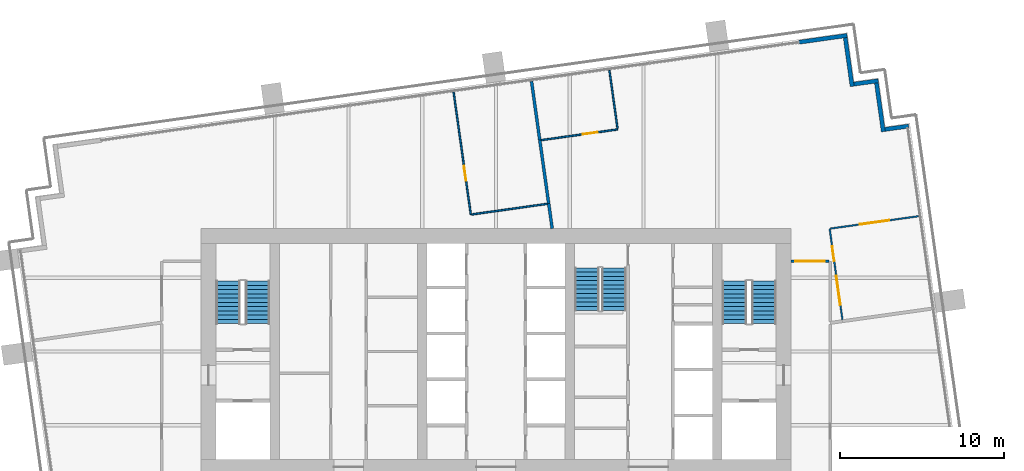
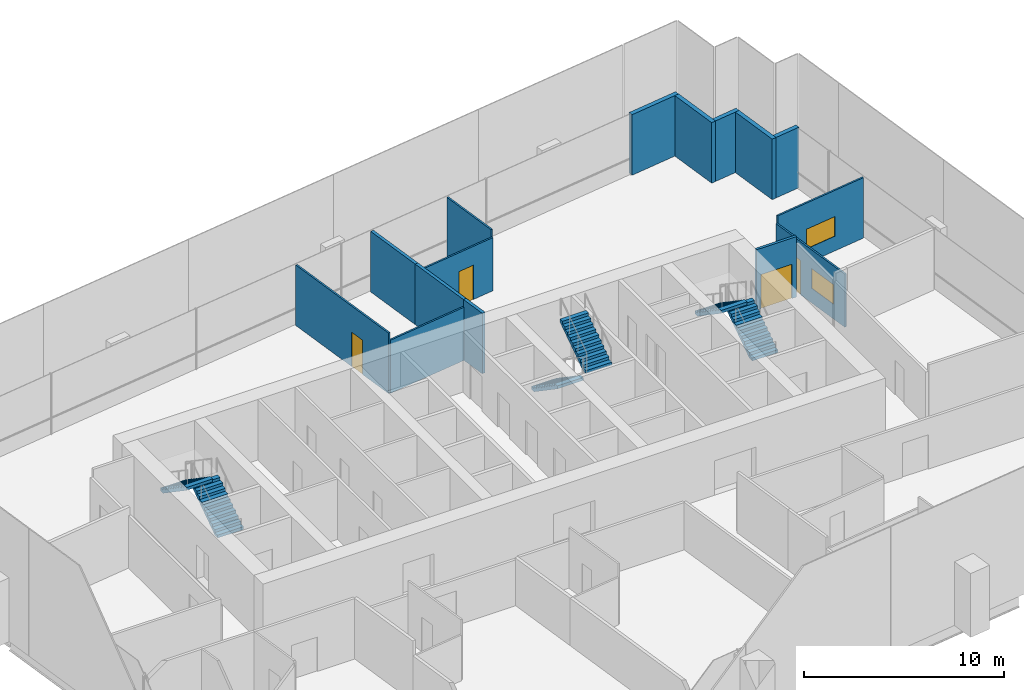
# One storey, part 12 of 17: 15 walls, 6 stair flights, 4 doors, 2 windows, 6 openings, 3 elements without a shape of their own.
"""IFC4 building model written with IfcOpenShell, lengths in metres."""

from ifc_helpers import new_model, si_unit, direction, frame, frame_2d, origin, place, context, subcontext, project, spatial, polyline, rectangle, outline, extrude, material, layer, layer_set, type_object, element, fill, aggregate, save


model = new_model("IFC4")

# Units and contexts
model_context = context("Model", 3, precision=1e-05, world=origin(), true_north=direction((0.0, 1.0)))
body_context = subcontext(model_context, "Body", "Model", "MODEL_VIEW")
ifc_project = project(units=[si_unit("LENGTHUNIT", "METRE"), si_unit("AREAUNIT", "SQUARE_METRE"), si_unit("VOLUMEUNIT", "CUBIC_METRE"), si_unit("PLANEANGLEUNIT", "RADIAN"), si_unit("MASSUNIT", "GRAM", prefix="KILO")], contexts=[model_context])

# Site, building, storey
site_placement = place(None, origin())
site = spatial("IfcSite", under=ifc_project, at=site_placement, CompositionType="ELEMENT")
building_placement = place(site_placement, origin())
building = spatial("IfcBuilding", under=site, at=building_placement, Name="Rattan Terrace Tower", CompositionType="ELEMENT")
storey_placement = place(building_placement, frame((0.0, 0.0, 191.89990234375)))
storey = spatial("IfcBuildingStorey", under=building, at=storey_placement, Name="L44", CompositionType="ELEMENT", Elevation=191.89990234375)

# Walls
ifc_material_1 = material(Name="Insulated aluminium-clad stud wall", Category="aluminium")
ifc_layer_1 = layer(ifc_material_1, 0.25)
ifc_layer_set_1 = layer_set([ifc_layer_1], Name="Facade Riser Wall 250")
wall_type_1 = type_object("IfcWallType", Name="Facade Riser Wall 250", PredefinedType="SOLIDWALL", material=ifc_layer_set_1)
wall_1_placement = place(storey_placement, frame((25.18359375, 13.758056640625, 0.0), z_axis=(0.0, 0.0, 1.0), x_axis=(-0.9902493448, -0.13930626376, 0.0)))
element("IfcWall", 1, at=wall_1_placement, inside=storey, type_object=wall_type_1, Name="Riser wall L44-6", PredefinedType="SOLIDWALL", context=body_context, shape_type="SweptSolid", body=[
    extrude(rectangle(XDim=1.45458984375, YDim=0.25, at=frame_2d((0.727294921875, 0.0))), origin(), (0.0, 0.0, 1.0), 3.7001953125),
])
wall_2_placement = place(storey_placement, frame((23.63671875, 13.414306640625, 0.0), z_axis=(0.0, 0.0, 1.0), x_axis=(-0.139313431826, 0.990248336385, 0.0)))
element("IfcWall", 2, at=wall_2_placement, inside=storey, type_object=wall_type_1, Name="Riser wall L44-7", PredefinedType="SOLIDWALL", context=body_context, shape_type="SweptSolid", body=[
    extrude(rectangle(XDim=3.000244140625, YDim=0.25, at=frame_2d((1.5, 0.0))), origin(), (0.0, 0.0, 1.0), 3.7001953125),
])
wall_3_placement = place(storey_placement, frame((23.3251953125, 16.5263671875, 0.0), z_axis=(0.0, 0.0, 1.0), x_axis=(-0.990243596651, -0.13934711799, 0.0)))
element("IfcWall", 3, at=wall_3_placement, inside=storey, type_object=wall_type_1, Name="Riser wall L44-8", PredefinedType="SOLIDWALL", context=body_context, shape_type="SweptSolid", body=[
    extrude(rectangle(XDim=1.499755859375, YDim=0.25, at=frame_2d((0.75, 0.0))), origin(), (0.0, 0.0, 1.0), 3.7001953125),
])
wall_4_placement = place(storey_placement, frame((21.733642578125, 16.17626953125, 0.0), z_axis=(0.0, 0.0, 1.0), x_axis=(-0.139313431826, 0.990248336385, 0.0)))
element("IfcWall", 4, at=wall_4_placement, inside=storey, type_object=wall_type_1, Name="Riser wall L44-9", PredefinedType="SOLIDWALL", context=body_context, shape_type="SweptSolid", body=[
    extrude(rectangle(XDim=3.000244140625, YDim=0.25, at=frame_2d((1.5, 0.0))), origin(), (0.0, 0.0, 1.0), 3.7001953125),
])
wall_5_placement = place(storey_placement, frame((21.422119140625, 19.288330078125, 0.0), z_axis=(0.0, 0.0, 1.0), x_axis=(-0.990246427036, -0.139327002919, 0.0)))
element("IfcWall", 5, at=wall_5_placement, inside=storey, type_object=wall_type_1, Name="Riser wall L44-10", PredefinedType="SOLIDWALL", context=body_context, shape_type="SweptSolid", body=[
    extrude(rectangle(XDim=2.954345703125, YDim=0.25, at=frame_2d((1.47705078125, 0.0))), origin(), (0.0, 0.0, 1.0), 3.7001953125),
])
ifc_material_2 = material(Name="Double steel stud acoustic partition, gypsum board, mineral wool, fire rated", Category="steel")
ifc_layer_2 = layer(ifc_material_2, 0.179931640625)
ifc_layer_set_2 = layer_set([ifc_layer_2], Name="Floors Acoustic Party Wall 180")
wall_type_2 = type_object("IfcWallType", Name="Floors Acoustic Party Wall 180", PredefinedType="PARTITIONING", material=ifc_layer_set_2)
wall_6_placement = place(storey_placement, frame((3.214111328125, 9.02392578125, 0.0), z_axis=(0.0, 0.0, 1.0), x_axis=(0.138977710078, -0.990295509483, 0.0)))
element("IfcWall", 6, at=wall_6_placement, inside=storey, type_object=wall_type_2, Name="pt-L44-041", PredefinedType="PARTITIONING", context=body_context, shape_type="SweptSolid", body=[
    extrude(rectangle(XDim=1.538818359375, YDim=0.179931640625, at=frame_2d((0.76953125, 0.0))), origin(), (0.0, 0.0, 1.0), 3.7001953125),
])
wall_7_placement = place(storey_placement, frame((2.6689453125, 12.906005859375, 0.0), z_axis=(0.0, 0.0, 1.0), x_axis=(0.139066846741, -0.990282995985, 0.0)))
element("IfcWall", 7, at=wall_7_placement, inside=storey, type_object=wall_type_2, Name="pt-L44-042", PredefinedType="PARTITIONING", context=body_context, shape_type="SweptSolid", body=[
    extrude(rectangle(XDim=3.920166015625, YDim=0.179931640625, at=frame_2d((1.9599609375, 0.0))), origin(), (0.0, 0.0, 1.0), 3.7001953125),
])
wall_8_placement = place(storey_placement, frame((2.1650390625, 16.490966796875, 0.0), z_axis=(0.0, 0.0, 1.0), x_axis=(0.138928291597, -0.990302443597, 0.0)))
element("IfcWall", 8, at=wall_8_placement, inside=storey, type_object=wall_type_2, Name="pt-L44-043", PredefinedType="PARTITIONING", context=body_context, shape_type="SweptSolid", body=[
    extrude(rectangle(XDim=3.6201171875, YDim=0.179931640625, at=frame_2d((1.81005859375, 0.0))), origin(), (0.0, 0.0, 1.0), 3.7001953125),
])

# Wall, opening, door
ifc_material_3 = material(Name="Gypsum board partition on steel studs", Category="steel")
ifc_layer_3 = layer(ifc_material_3, 0.10009765625)
ifc_layer_set_3 = layer_set([ifc_layer_3], Name="Floors Partition 100")
wall_type_3 = type_object("IfcWallType", Name="Floors Partition 100", PredefinedType="PARTITIONING", material=ifc_layer_set_3)
wall_9_placement = place(storey_placement, frame((-2.587890625, 15.822021484375, 0.0), z_axis=(0.0, 0.0, 1.0), x_axis=(0.139113424861, -0.990276453837, 0.0)))
wall_9 = element("IfcWall", 9, at=wall_9_placement, inside=storey, type_object=wall_type_3, Name="pt-L44-039", PredefinedType="PARTITIONING", context=body_context, shape_type="SweptSolid", body=[
    extrude(rectangle(XDim=7.539306640625, YDim=0.10009765625, at=frame_2d((3.76953125, 0.0))), origin(), (0.0, 0.0, 1.0), 3.7001953125),
])
opening_1_placement = place(wall_9_placement, frame((4.548095703125, 0.0, 0.0)))
opening_1 = element("IfcOpeningElement", 10, at=opening_1_placement, cuts=wall_9, Name="Opening L44-D112", PredefinedType="OPENING", context=body_context, shape_type="SweptSolid", body=[
    extrude(rectangle(XDim=0.89990234375, YDim=2.10009765625, at=frame_2d((0.449951171875, 1.050048828125))), frame((0.0, 0.060546875, 0.0), z_axis=(0.0, -1.0, 0.0), x_axis=(1.0, 0.0, 0.0)), (0.0, 0.0, 1.0), 0.12109375),
])
ifc_material_4 = material(Name="Solid core timber door, painted", Category="wood")
door_type_1 = type_object("IfcDoorType", Name="Floors Door 900x2100", OperationType="NOTDEFINED", PredefinedType="DOOR", material=ifc_material_4)
door_1_placement = place(opening_1_placement, origin())
door_1 = element("IfcDoor", 11, at=door_1_placement, inside=storey, type_object=door_type_1, Name="d-L44-112", OperationType="SINGLE_SWING_RIGHT", OverallHeight=2.10009765625, OverallWidth=0.89990234375, PredefinedType="DOOR", context=body_context, shape_type="SweptSolid", body=[
    extrude(rectangle(XDim=0.89990234375, YDim=2.10009765625, at=frame_2d((0.449951171875, 1.050048828125))), frame((0.0, 0.02490234375, 0.0), z_axis=(0.0, -1.0, 0.0), x_axis=(1.0, 0.0, 0.0)), (0.0, 0.0, 1.0), 0.050048828125),
])
fill(opening_1, door_1)

# Wall
wall_10_placement = place(storey_placement, frame((-1.489013671875, 8.363037109375, 0.0), z_axis=(0.0, 0.0, 1.0), x_axis=(0.990283092648, 0.139066158415, 0.0)))
element("IfcWall", 12, at=wall_10_placement, inside=storey, type_object=wall_type_3, Name="pt-L44-040", PredefinedType="PARTITIONING", context=body_context, shape_type="SweptSolid", body=[
    extrude(rectangle(XDim=4.6591796875, YDim=0.10009765625, at=frame_2d((2.32958984375, 0.0))), origin(), (0.0, 0.0, 1.0), 3.25),
])

# Wall, openings, door, window
wall_11_placement = place(storey_placement, frame((20.35888671875, 7.4951171875, 0.0), z_axis=(0.0, 0.0, 1.0), x_axis=(0.139221490403, -0.990261266843, 0.0)))
wall_11 = element("IfcWall", 13, at=wall_11_placement, inside=storey, type_object=wall_type_3, Name="pt-L44-046", PredefinedType="PARTITIONING", context=body_context, shape_type="SweptSolid", body=[
    extrude(rectangle(XDim=5.60986328125, YDim=0.10009765625, at=frame_2d((2.804931640625, 0.0))), origin(), (0.0, 0.0, 1.0), 3.25),
])
opening_2_placement = place(wall_11_placement, frame((1.092041015625, 0.0, 0.0)))
opening_2 = element("IfcOpeningElement", 14, at=opening_2_placement, cuts=wall_11, Name="Opening L44-D115", PredefinedType="OPENING", context=body_context, shape_type="SweptSolid", body=[
    extrude(rectangle(XDim=0.89990234375, YDim=2.10009765625, at=frame_2d((0.449951171875, 1.050048828125))), frame((0.0, 0.060546875, 0.0), z_axis=(0.0, -1.0, 0.0), x_axis=(1.0, 0.0, 0.0)), (0.0, 0.0, 1.0), 0.12109375),
])
opening_3_placement = place(wall_11_placement, frame((2.90087890625, 0.0, 0.89990234375)))
opening_3 = element("IfcOpeningElement", 15, at=opening_3_placement, cuts=wall_11, Name="Opening L44-W102", PredefinedType="OPENING", context=body_context, shape_type="SweptSolid", body=[
    extrude(rectangle(XDim=1.800048828125, YDim=1.199951171875, at=frame_2d((0.89990234375, 0.60009765625))), frame((0.0, 0.060546875, 0.0), z_axis=(0.0, -1.0, 0.0), x_axis=(1.0, 0.0, 0.0)), (0.0, 0.0, 1.0), 0.12109375),
])
door_2_placement = place(opening_2_placement, origin())
door_2 = element("IfcDoor", 16, at=door_2_placement, inside=storey, type_object=door_type_1, Name="d-L44-115", OperationType="SINGLE_SWING_LEFT", OverallHeight=2.10009765625, OverallWidth=0.89990234375, PredefinedType="DOOR", context=body_context, shape_type="SweptSolid", body=[
    extrude(rectangle(XDim=0.89990234375, YDim=2.10009765625, at=frame_2d((0.449951171875, 1.050048828125))), frame((0.0, 0.02490234375, 0.0), z_axis=(0.0, -1.0, 0.0), x_axis=(1.0, 0.0, 0.0)), (0.0, 0.0, 1.0), 0.050048828125),
])
fill(opening_2, door_2)
ifc_material_5 = material(Name="Glass, clear, fixed in aluminium frame", Category="aluminium")
window_type = type_object("IfcWindowType", Name="Interior Vision Window 1800x1200", PartitioningType="SINGLE_PANEL", PredefinedType="WINDOW", material=ifc_material_5)
window_1_placement = place(opening_3_placement, origin())
window_1 = element("IfcWindow", 17, at=window_1_placement, inside=storey, type_object=window_type, Name="w-L44-102", OverallHeight=1.199951171875, OverallWidth=1.800048828125, PartitioningType="SINGLE_PANEL", PredefinedType="WINDOW", context=body_context, shape_type="SweptSolid", body=[
    extrude(rectangle(XDim=1.800048828125, YDim=1.199951171875, at=frame_2d((0.89990234375, 0.60009765625))), frame((0.0, 0.030029296875, 0.0), z_axis=(0.0, -1.0, 0.0), x_axis=(1.0, 0.0, 0.0)), (0.0, 0.0, 1.0), 0.06005859375),
])
fill(opening_3, window_1)

# Wall, opening, window
wall_12_placement = place(storey_placement, frame((25.784912109375, 8.258056640625, 0.0), z_axis=(0.0, 0.0, 1.0), x_axis=(-0.990257353855, -0.139249320055, 0.0)))
wall_12 = element("IfcWall", 18, at=wall_12_placement, inside=storey, type_object=wall_type_3, Name="pt-L44-047", PredefinedType="PARTITIONING", context=body_context, shape_type="SweptSolid", body=[
    extrude(rectangle(XDim=5.429931640625, YDim=0.10009765625, at=frame_2d((2.71484375, 0.0))), origin(), (0.0, 0.0, 1.0), 3.7001953125),
])
opening_4_placement = place(wall_12_placement, frame((1.81494140625, 0.0, 0.89990234375)))
opening_4 = element("IfcOpeningElement", 19, at=opening_4_placement, cuts=wall_12, Name="Opening L44-W103", PredefinedType="OPENING", context=body_context, shape_type="SweptSolid", body=[
    extrude(rectangle(XDim=1.800048828125, YDim=1.199951171875, at=frame_2d((0.89990234375, 0.60009765625))), frame((0.0, 0.060546875, 0.0), z_axis=(0.0, -1.0, 0.0), x_axis=(1.0, 0.0, 0.0)), (0.0, 0.0, 1.0), 0.12109375),
])
window_2_placement = place(opening_4_placement, origin())
window_2 = element("IfcWindow", 20, at=window_2_placement, inside=storey, type_object=window_type, Name="w-L44-103", OverallHeight=1.199951171875, OverallWidth=1.800048828125, PartitioningType="SINGLE_PANEL", PredefinedType="WINDOW", context=body_context, shape_type="SweptSolid", body=[
    extrude(rectangle(XDim=1.800048828125, YDim=1.199951171875, at=frame_2d((0.89990234375, 0.60009765625))), frame((0.0, 0.030029296875, 0.0), z_axis=(0.0, -1.0, 0.0), x_axis=(1.0, 0.0, 0.0)), (0.0, 0.0, 1.0), 0.06005859375),
])
fill(opening_4, window_2)

# Wall, opening, door
wall_13_placement = place(storey_placement, frame((2.760986328125, 12.89892578125, 0.0), z_axis=(0.0, 0.0, 1.0), x_axis=(0.990277569518, 0.139105482671, 0.0)))
wall_13 = element("IfcWall", 21, at=wall_13_placement, inside=storey, type_object=wall_type_3, Name="pt-L44-048", PredefinedType="PARTITIONING", context=body_context, shape_type="SweptSolid", body=[
    extrude(rectangle(XDim=4.708984375, YDim=0.10009765625, at=frame_2d((2.3544921875, 0.0))), origin(), (0.0, 0.0, 1.0), 3.25),
])
opening_5_placement = place(wall_13_placement, frame((2.56591796875, 0.0, 0.0)))
opening_5 = element("IfcOpeningElement", 22, at=opening_5_placement, cuts=wall_13, Name="Opening L44-D116", PredefinedType="OPENING", context=body_context, shape_type="SweptSolid", body=[
    extrude(rectangle(XDim=0.89990234375, YDim=2.10009765625, at=frame_2d((0.449951171875, 1.050048828125))), frame((0.0, 0.060546875, 0.0), z_axis=(0.0, -1.0, 0.0), x_axis=(1.0, 0.0, 0.0)), (0.0, 0.0, 1.0), 0.12109375),
])
door_3_placement = place(opening_5_placement, origin())
door_3 = element("IfcDoor", 23, at=door_3_placement, inside=storey, type_object=door_type_1, Name="d-L44-116", OperationType="SINGLE_SWING_RIGHT", OverallHeight=2.10009765625, OverallWidth=0.89990234375, PredefinedType="DOOR", context=body_context, shape_type="SweptSolid", body=[
    extrude(rectangle(XDim=0.89990234375, YDim=2.10009765625, at=frame_2d((0.449951171875, 1.050048828125))), frame((0.0, 0.02490234375, 0.0), z_axis=(0.0, -1.0, 0.0), x_axis=(1.0, 0.0, 0.0)), (0.0, 0.0, 1.0), 0.050048828125),
])
fill(opening_5, door_3)

# Wall
wall_14_placement = place(storey_placement, frame((7.4169921875, 13.60302734375, 0.0), z_axis=(0.0, 0.0, 1.0), x_axis=(-0.139012030438, 0.990290692369, 0.0)))
element("IfcWall", 24, at=wall_14_placement, inside=storey, type_object=wall_type_3, Name="pt-L44-049", PredefinedType="PARTITIONING", context=body_context, shape_type="SweptSolid", body=[
    extrude(rectangle(XDim=3.58984375, YDim=0.10009765625, at=frame_2d((1.794921875, 0.0))), origin(), (0.0, 0.0, 1.0), 3.7001953125),
])

# Wall, opening, door
ifc_material_6 = material(Name="Gypsum board partition on steel studs, fire rated", Category="steel")
ifc_layer_4 = layer(ifc_material_6, 0.14990234375)
ifc_layer_set_4 = layer_set([ifc_layer_4], Name="Floors Tenancy Wall 150")
wall_type_4 = type_object("IfcWallType", Name="Floors Tenancy Wall 150", PredefinedType="PARTITIONING", material=ifc_layer_set_4)
wall_15_placement = place(storey_placement, frame((18.0, 5.5009765625, 0.0), z_axis=(0.0, 0.0, 1.0), x_axis=(1.0, 0.0, 0.0)))
wall_15 = element("IfcWall", 25, at=wall_15_placement, inside=storey, type_object=wall_type_4, Name="pt-L44-020", PredefinedType="PARTITIONING", context=body_context, shape_type="SweptSolid", body=[
    extrude(rectangle(XDim=2.324951171875, YDim=0.14990234375, at=frame_2d((1.16259765625, 0.0))), origin(), (0.0, 0.0, 1.0), 3.7001953125),
])
opening_6_placement = place(wall_15_placement, frame((0.26806640625, 0.0, 0.0)))
opening_6 = element("IfcOpeningElement", 26, at=opening_6_placement, cuts=wall_15, Name="Opening L44-D114", PredefinedType="OPENING", context=body_context, shape_type="SweptSolid", body=[
    extrude(rectangle(XDim=1.800048828125, YDim=2.10009765625, at=frame_2d((0.89990234375, 1.050048828125))), frame((0.0, 0.08544921875, 0.0), z_axis=(0.0, -1.0, 0.0), x_axis=(1.0, 0.0, 0.0)), (0.0, 0.0, 1.0), 0.1708984375),
])
ifc_material_7 = material(Name="Steel fire door set", Category="steel")
door_type_2 = type_object("IfcDoorType", Name="Floors Fire Door Pair FD30S 1800x2100", OperationType="NOTDEFINED", PredefinedType="DOOR", material=ifc_material_7)
door_4_placement = place(opening_6_placement, origin())
door_4 = element("IfcDoor", 27, at=door_4_placement, inside=storey, type_object=door_type_2, Name="d-L44-114", OperationType="DOUBLE_DOOR_SINGLE_SWING", OverallHeight=2.10009765625, OverallWidth=1.800048828125, PredefinedType="DOOR", context=body_context, shape_type="SweptSolid", body=[
    extrude(rectangle(XDim=1.800048828125, YDim=2.10009765625, at=frame_2d((0.89990234375, 1.050048828125))), frame((0.0, 0.02490234375, 0.0), z_axis=(0.0, -1.0, 0.0), x_axis=(1.0, 0.0, 0.0)), (0.0, 0.0, 1.0), 0.050048828125),
])
fill(opening_6, door_4)

# Stair, stair flights
ifc_material_8 = material(Name="Concrete C40/50", Category="concrete")
stair_type = type_object("IfcStairType", Name="Core exit stair 1500", PredefinedType="HALF_TURN_STAIR", material=ifc_material_8)
stair_1_placement = place(storey_placement, origin())
stair_1 = element("IfcStair", 28, at=stair_1_placement, inside=storey, type_object=stair_type, Name="L44 exit stair 1", PredefinedType="HALF_TURN_STAIR")
ifc_material_9 = material(Name="Concrete C40/50", Category="concrete")
stair_flight_type = type_object("IfcStairFlightType", Name="Core exit stair flight 1500", PredefinedType="STRAIGHT", material=ifc_material_9)
stair_flight_1_placement = place(storey_placement, frame((-14.550048828125, 1.699951171875, 0.0), z_axis=(0.0, 0.0, 1.0), x_axis=(0.0, 1.0, 0.0)))
stair_flight_1 = element("IfcStairFlight", 29, at=stair_flight_1_placement, type_object=stair_flight_type, Name="S1 flight 1", NumberOfRisers=11, NumberOfTreads=10, PredefinedType="STRAIGHT", RiserHeight=0.177272727, TreadLength=0.26, context=body_context, shape_type="SweptSolid", body=[
    extrude(outline(polyline([(0.0, 0.0), (0.0, 0.17724609375), (0.260009765625, 0.17724609375), (0.260009765625, 0.3544921875), (0.52001953125, 0.3544921875), (0.52001953125, 0.53173828125), (0.780029296875, 0.53173828125), (0.780029296875, 0.708984375), (1.0400390625, 0.708984375), (1.0400390625, 0.886474609375), (1.300048828125, 0.886474609375), (1.300048828125, 1.063720703125), (1.56005859375, 1.063720703125), (1.56005859375, 1.240966796875), (1.820068359375, 1.240966796875), (1.820068359375, 1.418212890625), (2.080078125, 1.418212890625), (2.080078125, 1.595458984375), (2.340087890625, 1.595458984375), (2.340087890625, 1.772705078125), (2.60009765625, 1.772705078125), (2.60009765625, 1.949951171875), (2.60009765625, 1.59130859375), (0.26611328125, 0.0), (0.0, 0.0)])), frame((0.0, 0.75, 0.0), z_axis=(0.0, -1.0, 0.0), x_axis=(1.0, 0.0, 0.0)), (0.0, 0.0, 1.0), 1.5),
])
stair_flight_2_placement = place(storey_placement, frame((-16.35009765625, 4.300048828125, 1.9501953125), z_axis=(0.0, 0.0, 1.0), x_axis=(0.0, -1.0, 0.0)))
stair_flight_2 = element("IfcStairFlight", 30, at=stair_flight_2_placement, type_object=stair_flight_type, Name="S1 flight 2", NumberOfRisers=11, NumberOfTreads=10, PredefinedType="STRAIGHT", RiserHeight=0.177272727, TreadLength=0.26, context=body_context, shape_type="SweptSolid", body=[
    extrude(outline(polyline([(0.0, 0.0), (0.0, 0.17724609375), (0.260009765625, 0.17724609375), (0.260009765625, 0.3544921875), (0.52001953125, 0.3544921875), (0.52001953125, 0.53173828125), (0.780029296875, 0.53173828125), (0.780029296875, 0.708984375), (1.0400390625, 0.708984375), (1.0400390625, 0.886474609375), (1.300048828125, 0.886474609375), (1.300048828125, 1.063720703125), (1.56005859375, 1.063720703125), (1.56005859375, 1.240966796875), (1.820068359375, 1.240966796875), (1.820068359375, 1.418212890625), (2.080078125, 1.418212890625), (2.080078125, 1.595458984375), (2.340087890625, 1.595458984375), (2.340087890625, 1.772705078125), (2.60009765625, 1.772705078125), (2.60009765625, 1.949951171875), (2.60009765625, 1.59130859375), (0.26611328125, 0.0), (0.0, 0.0)])), frame((0.0, 0.75, 0.0), z_axis=(0.0, -1.0, 0.0), x_axis=(1.0, 0.0, 0.0)), (0.0, 0.0, 1.0), 1.5),
])
aggregate(stair_1, [stair_flight_1, stair_flight_2])

stair_2_placement = place(storey_placement, origin())
stair_2 = element("IfcStair", 31, at=stair_2_placement, inside=storey, type_object=stair_type, Name="L44 exit stair 2", PredefinedType="HALF_TURN_STAIR")
stair_flight_3_placement = place(storey_placement, frame((16.35009765625, 1.699951171875, 0.0), z_axis=(0.0, 0.0, 1.0), x_axis=(0.0, 1.0, 0.0)))
stair_flight_3 = element("IfcStairFlight", 32, at=stair_flight_3_placement, type_object=stair_flight_type, Name="S2 flight 1", NumberOfRisers=11, NumberOfTreads=10, PredefinedType="STRAIGHT", RiserHeight=0.177272727, TreadLength=0.26, context=body_context, shape_type="SweptSolid", body=[
    extrude(outline(polyline([(0.0, 0.0), (0.0, 0.17724609375), (0.260009765625, 0.17724609375), (0.260009765625, 0.3544921875), (0.52001953125, 0.3544921875), (0.52001953125, 0.53173828125), (0.780029296875, 0.53173828125), (0.780029296875, 0.708984375), (1.0400390625, 0.708984375), (1.0400390625, 0.886474609375), (1.300048828125, 0.886474609375), (1.300048828125, 1.063720703125), (1.56005859375, 1.063720703125), (1.56005859375, 1.240966796875), (1.820068359375, 1.240966796875), (1.820068359375, 1.418212890625), (2.080078125, 1.418212890625), (2.080078125, 1.595458984375), (2.340087890625, 1.595458984375), (2.340087890625, 1.772705078125), (2.60009765625, 1.772705078125), (2.60009765625, 1.949951171875), (2.60009765625, 1.59130859375), (0.26611328125, 0.0), (0.0, 0.0)])), frame((0.0, 0.75, 0.0), z_axis=(0.0, -1.0, 0.0), x_axis=(1.0, 0.0, 0.0)), (0.0, 0.0, 1.0), 1.5),
])
stair_flight_4_placement = place(storey_placement, frame((14.550048828125, 4.300048828125, 1.9501953125), z_axis=(0.0, 0.0, 1.0), x_axis=(0.0, -1.0, 0.0)))
stair_flight_4 = element("IfcStairFlight", 33, at=stair_flight_4_placement, type_object=stair_flight_type, Name="S2 flight 2", NumberOfRisers=11, NumberOfTreads=10, PredefinedType="STRAIGHT", RiserHeight=0.177272727, TreadLength=0.26, context=body_context, shape_type="SweptSolid", body=[
    extrude(outline(polyline([(0.0, 0.0), (0.0, 0.17724609375), (0.260009765625, 0.17724609375), (0.260009765625, 0.3544921875), (0.52001953125, 0.3544921875), (0.52001953125, 0.53173828125), (0.780029296875, 0.53173828125), (0.780029296875, 0.708984375), (1.0400390625, 0.708984375), (1.0400390625, 0.886474609375), (1.300048828125, 0.886474609375), (1.300048828125, 1.063720703125), (1.56005859375, 1.063720703125), (1.56005859375, 1.240966796875), (1.820068359375, 1.240966796875), (1.820068359375, 1.418212890625), (2.080078125, 1.418212890625), (2.080078125, 1.595458984375), (2.340087890625, 1.595458984375), (2.340087890625, 1.772705078125), (2.60009765625, 1.772705078125), (2.60009765625, 1.949951171875), (2.60009765625, 1.59130859375), (0.26611328125, 0.0), (0.0, 0.0)])), frame((0.0, 0.75, 0.0), z_axis=(0.0, -1.0, 0.0), x_axis=(1.0, 0.0, 0.0)), (0.0, 0.0, 1.0), 1.5),
])
aggregate(stair_2, [stair_flight_3, stair_flight_4])

stair_3_placement = place(storey_placement, origin())
stair_3 = element("IfcStair", 34, at=stair_3_placement, inside=storey, type_object=stair_type, Name="L44 exit stair 3", PredefinedType="HALF_TURN_STAIR")
stair_flight_5_placement = place(storey_placement, frame((5.550048828125, 5.10009765625, 0.0), z_axis=(0.0, 0.0, 1.0), x_axis=(0.0, -1.0, 0.0)))
stair_flight_5 = element("IfcStairFlight", 35, at=stair_flight_5_placement, type_object=stair_flight_type, Name="S3 flight 1", NumberOfRisers=11, NumberOfTreads=10, PredefinedType="STRAIGHT", RiserHeight=0.177272727, TreadLength=0.26, context=body_context, shape_type="SweptSolid", body=[
    extrude(outline(polyline([(0.0, 0.0), (0.0, 0.17724609375), (0.260009765625, 0.17724609375), (0.260009765625, 0.3544921875), (0.52001953125, 0.3544921875), (0.52001953125, 0.53173828125), (0.780029296875, 0.53173828125), (0.780029296875, 0.708984375), (1.0400390625, 0.708984375), (1.0400390625, 0.886474609375), (1.300048828125, 0.886474609375), (1.300048828125, 1.063720703125), (1.56005859375, 1.063720703125), (1.56005859375, 1.240966796875), (1.820068359375, 1.240966796875), (1.820068359375, 1.418212890625), (2.080078125, 1.418212890625), (2.080078125, 1.595458984375), (2.340087890625, 1.595458984375), (2.340087890625, 1.772705078125), (2.60009765625, 1.772705078125), (2.60009765625, 1.949951171875), (2.60009765625, 1.59130859375), (0.26611328125, 0.0), (0.0, 0.0)])), frame((0.0, 0.75, 0.0), z_axis=(0.0, -1.0, 0.0), x_axis=(1.0, 0.0, 0.0)), (0.0, 0.0, 1.0), 1.5),
])
stair_flight_6_placement = place(storey_placement, frame((7.199951171875, 2.5, 1.9501953125), z_axis=(0.0, 0.0, 1.0), x_axis=(0.0, 1.0, 0.0)))
stair_flight_6 = element("IfcStairFlight", 36, at=stair_flight_6_placement, type_object=stair_flight_type, Name="S3 flight 2", NumberOfRisers=11, NumberOfTreads=10, PredefinedType="STRAIGHT", RiserHeight=0.177272727, TreadLength=0.26, context=body_context, shape_type="SweptSolid", body=[
    extrude(outline(polyline([(0.0, 0.0), (0.0, 0.17724609375), (0.260009765625, 0.17724609375), (0.260009765625, 0.3544921875), (0.52001953125, 0.3544921875), (0.52001953125, 0.53173828125), (0.780029296875, 0.53173828125), (0.780029296875, 0.708984375), (1.0400390625, 0.708984375), (1.0400390625, 0.886474609375), (1.300048828125, 0.886474609375), (1.300048828125, 1.063720703125), (1.56005859375, 1.063720703125), (1.56005859375, 1.240966796875), (1.820068359375, 1.240966796875), (1.820068359375, 1.418212890625), (2.080078125, 1.418212890625), (2.080078125, 1.595458984375), (2.340087890625, 1.595458984375), (2.340087890625, 1.772705078125), (2.60009765625, 1.772705078125), (2.60009765625, 1.949951171875), (2.60009765625, 1.59130859375), (0.26611328125, 0.0), (0.0, 0.0)])), frame((0.0, 0.75, 0.0), z_axis=(0.0, -1.0, 0.0), x_axis=(1.0, 0.0, 0.0)), (0.0, 0.0, 1.0), 1.5),
])
aggregate(stair_3, [stair_flight_5, stair_flight_6])

save(model, "model.ifc")
